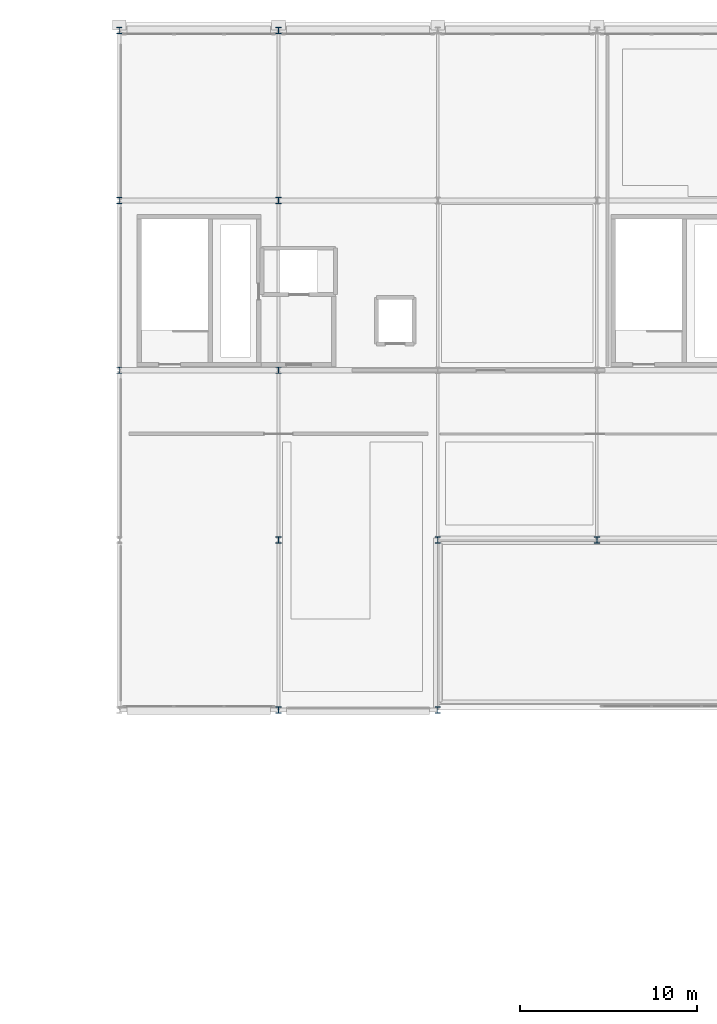
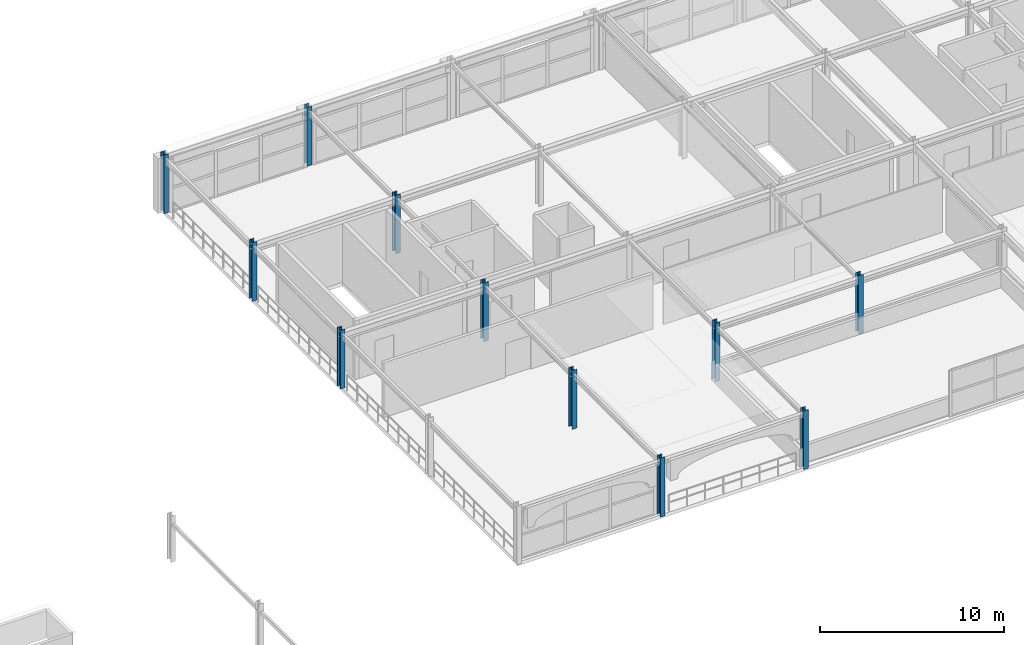
# One storey, part 5 of 25: 11 columns.
"""IFC4 building model written with IfcOpenShell, lengths in metres."""

from ifc_helpers import new_model, si_unit, direction, frame, origin, origin_2d, place, context, subcontext, project, spatial, i_section, extrude, material, material_profile, profile_set, type_object, element, save


model = new_model("IFC4")

# Units and contexts
model_context = context("Model", 3, precision=1e-05, world=origin(), true_north=direction((0.0, 1.0)))
body_context = subcontext(model_context, "Body", "Model", "MODEL_VIEW")
ifc_project = project(units=[si_unit("LENGTHUNIT", "METRE"), si_unit("AREAUNIT", "SQUARE_METRE"), si_unit("VOLUMEUNIT", "CUBIC_METRE"), si_unit("PLANEANGLEUNIT", "RADIAN"), si_unit("MASSUNIT", "GRAM", prefix="KILO")], contexts=[model_context])

# Site, building, storey
site_placement = place(None, origin())
site = spatial("IfcSite", under=ifc_project, at=site_placement, CompositionType="ELEMENT")
building_placement = place(site_placement, origin())
building = spatial("IfcBuilding", under=site, at=building_placement, Name="Myrtia Square Station", CompositionType="ELEMENT")
storey_placement = place(building_placement, frame((0.0, 0.0, 18.89990234375)))
storey = spatial("IfcBuildingStorey", under=building, at=storey_placement, Name="L04", CompositionType="ELEMENT", Elevation=18.89990234375)

# Columns
ifc_material = material(Name="Steel S355", Category="steel")
ifc_material_profile = material_profile(ifc_material, i_section(OverallWidth=0.300048828125, OverallDepth=0.360107421875, WebThickness=0.012451171875, FlangeThickness=0.0224609375, FilletRadius=0.027099609375, at=origin_2d()), Name="HEB 360")
ifc_profile_set = profile_set([ifc_material_profile], Name="Steel S355")
column_type = type_object("IfcColumnType", Name="COL-HEB360", PredefinedType="COLUMN", material=ifc_profile_set)
for number, where, z_axis, x_axis, name in (
    (1, (126.0, 105.60009765625, 0.0), (0.0, 0.0, 1.0), (1.0, 0.0, 0.0), "Column L04-0796"),
    (2, (126.0, 115.199951171875, 0.0), (0.0, 0.0, 1.0), (1.0, 0.0, 0.0), "Column L04-0802"),
    (3, (126.0, 124.800048828125, 0.0), (0.0, 0.0, 1.0), (1.0, 0.0, 0.0), "Column L04-0808"),
    (4, (135.0, 86.39990234375, 0.0), (0.0, 0.0, 1.0), (1.0, 0.0, 0.0), "Column L04-0814"),
    (5, (135.0, 96.0, 0.0), (0.0, 0.0, 1.0), (1.0, 0.0, 0.0), "Column L04-0820"),
    (6, (135.0, 105.60009765625, 0.0), (0.0, 0.0, 1.0), (1.0, 0.0, 0.0), "Column L04-0826"),
    (7, (135.0, 115.199951171875, 0.0), (0.0, 0.0, 1.0), (1.0, 0.0, 0.0), "Column L04-0832"),
    (8, (135.0, 124.800048828125, 0.0), (0.0, 0.0, 1.0), (1.0, 0.0, 0.0), "Column L04-0838"),
    (9, (144.0, 86.39990234375, 0.0), (0.0, 0.0, 1.0), (1.0, 0.0, 0.0), "Column L04-0844"),
    (10, (144.0, 96.0, 0.0), (0.0, 0.0, 1.0), (1.0, 0.0, 0.0), "Column L04-0850"),
    (11, (153.0, 96.0, 0.0), (0.0, 0.0, 1.0), (1.0, 0.0, 0.0), "Column L04-0879"),
):
    element("IfcColumn", number, at=place(storey_placement, frame(where, z_axis=z_axis, x_axis=x_axis)), inside=storey, type_object=column_type, Name=name, PredefinedType="COLUMN", context=body_context, shape_type="SweptSolid", body=[
        extrude(i_section(OverallWidth=0.300048828125, OverallDepth=0.360107421875, WebThickness=0.012451171875, FlangeThickness=0.0224609375, FilletRadius=0.027099609375, at=origin_2d()), origin(), (0.0, 0.0, 1.0), 3.900146484375),
    ])

save(model, "model.ifc")
